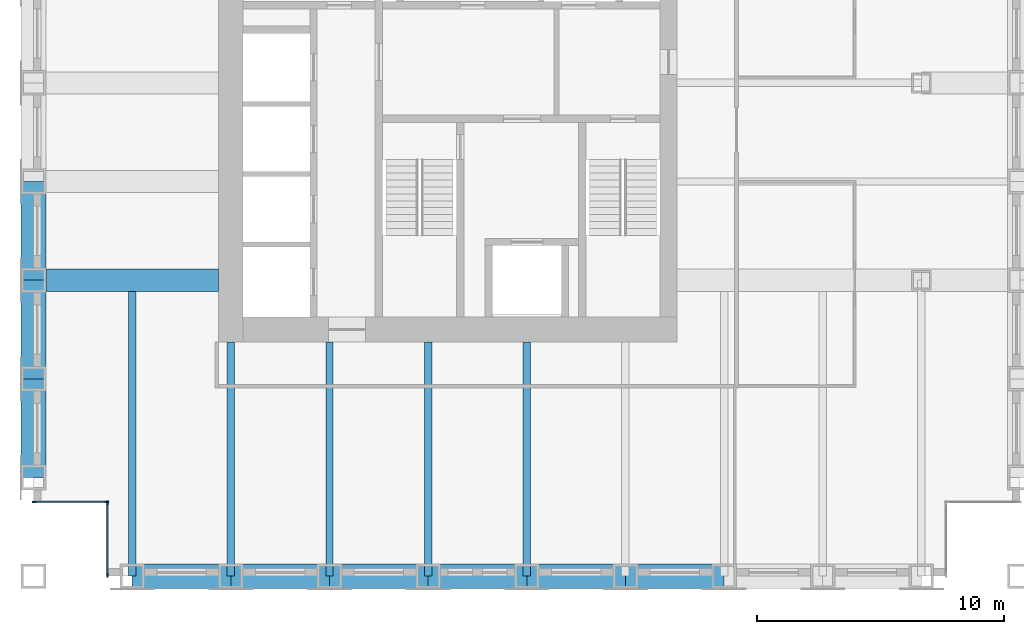
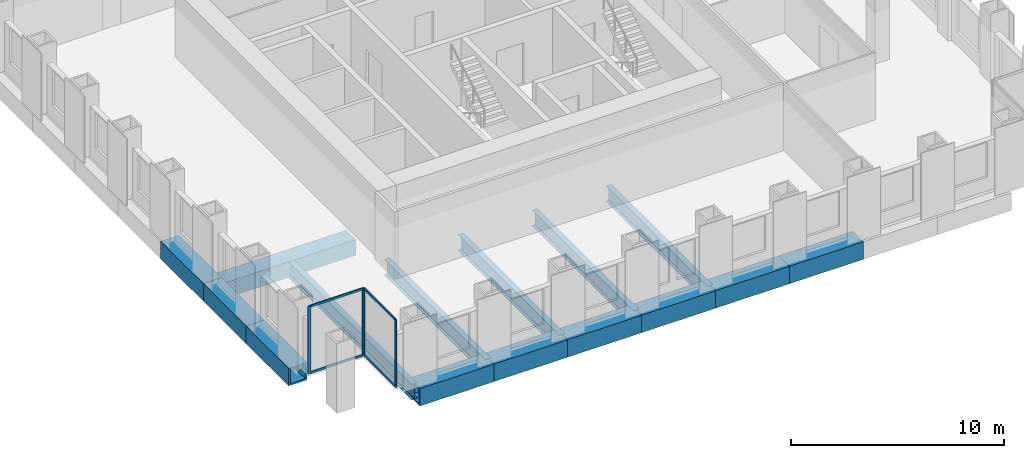
# One storey, part 2 of 13: 15 beams, 8 members, 2 elements without a shape of their own.
"""IFC4 building model written with IfcOpenShell, lengths in metres."""

from ifc_helpers import new_model, si_unit, direction, frame, origin, origin_2d, place, context, subcontext, project, spatial, rectangle, hollow_rectangle, i_section, extrude, material, material_profile, profile_set, type_object, element, aggregate, save


model = new_model("IFC4")

# Units and contexts
model_context = context("Model", 3, precision=1e-05, world=origin(), true_north=direction((0.0, 1.0)))
body_context = subcontext(model_context, "Body", "Model", "MODEL_VIEW")
ifc_project = project(units=[si_unit("LENGTHUNIT", "METRE"), si_unit("AREAUNIT", "SQUARE_METRE"), si_unit("VOLUMEUNIT", "CUBIC_METRE"), si_unit("PLANEANGLEUNIT", "RADIAN"), si_unit("MASSUNIT", "GRAM", prefix="KILO")], contexts=[model_context])

# Site, building, storey
site_placement = place(None, origin())
site = spatial("IfcSite", under=ifc_project, at=site_placement, CompositionType="ELEMENT")
building_placement = place(site_placement, origin())
building = spatial("IfcBuilding", under=site, at=building_placement, Name="Rimbunsela Tower", CompositionType="ELEMENT")
storey_placement = place(building_placement, frame((0.0, 0.0, 222.199951171875)))
storey = spatial("IfcBuildingStorey", under=building, at=storey_placement, Name="L53", CompositionType="ELEMENT", Elevation=222.199951171875)

# Beams
ifc_material_1 = material(Name="Steel BJ 55 (fy 410 MPa)", Category="steel")
ifc_material_profile_1 = material_profile(ifc_material_1, hollow_rectangle(XDim=1.0, YDim=1.0, WallThickness=0.10009765625, at=origin_2d()), Name="BOX 1000x1000x100")
ifc_profile_set_1 = profile_set([ifc_material_profile_1], Name="Steel BJ 55 (fy 410 MPa)")
beam_type_1 = type_object("IfcBeamType", Name="Beam BOX 1000x1000x100", PredefinedType="BEAM", material=ifc_profile_set_1)
for number, where, z_axis, x_axis, name in (
    (1, (10.0, 12.0, -0.64990234375), (0.0, 1.0, 0.0), (-1.0, 0.0, 0.0), "Beam B3 L53"),
    (2, (10.0, 16.0, -0.64990234375), (0.0, 1.0, 0.0), (-1.0, 0.0, 0.0), "Beam B3 L53"),
    (3, (10.0, 20.0, -0.64990234375), (0.0, 1.0, 0.0), (-1.0, 0.0, 0.0), "Beam B3 L53"),
    (4, (14.0, 8.0, -0.64990234375), (1.0, 0.0, 0.0), (0.0, 1.0, 0.0), "Beam B3 L53"),
    (5, (18.0, 8.0, -0.64990234375), (1.0, 0.0, 0.0), (0.0, 1.0, 0.0), "Beam B3 L53"),
    (6, (22.0, 8.0, -0.64990234375), (1.0, 0.0, 0.0), (0.0, 1.0, 0.0), "Beam B3 L53"),
    (7, (26.0, 8.0, -0.64990234375), (1.0, 0.0, 0.0), (0.0, 1.0, 0.0), "Beam B3 L53"),
    (8, (30.0, 8.0, -0.64990234375), (1.0, 0.0, 0.0), (0.0, 1.0, 0.0), "Beam B3 L53"),
    (9, (34.0, 8.0, -0.64990234375), (1.0, 0.0, 0.0), (0.0, 1.0, 0.0), "Beam B3 L53"),
):
    element("IfcBeam", number, at=place(storey_placement, frame(where, z_axis=z_axis, x_axis=x_axis)), inside=storey, type_object=beam_type_1, Name=name, PredefinedType="BEAM", context=body_context, shape_type="SweptSolid", body=[
        extrude(hollow_rectangle(XDim=1.0, YDim=1.0, WallThickness=0.10009765625, at=origin_2d()), origin(), (0.0, 0.0, 1.0), 4.0),
    ])
ifc_material_2 = material(Name="Steel BJ 55 (fy 410 MPa)", Category="steel")
ifc_material_profile_2 = material_profile(ifc_material_2, hollow_rectangle(XDim=0.89990234375, YDim=0.89990234375, WallThickness=0.06005859375, at=origin_2d()), Name="BOX 900x900x60")
ifc_profile_set_2 = profile_set([ifc_material_profile_2], Name="Steel BJ 55 (fy 410 MPa)")
beam_type_2 = type_object("IfcBeamType", Name="Beam BOX 900x900x60", PredefinedType="BEAM", material=ifc_profile_set_2)
beam_1_placement = place(storey_placement, frame((10.0, 20.0, -0.599853515625), z_axis=(1.0, 0.0, 0.0), x_axis=(0.0, 1.0, 0.0)))
element("IfcBeam", 10, at=beam_1_placement, inside=storey, type_object=beam_type_2, Name="Beam B1 L53", PredefinedType="BEAM", context=body_context, shape_type="SweptSolid", body=[
    extrude(hollow_rectangle(XDim=0.89990234375, YDim=0.89990234375, WallThickness=0.06005859375, at=origin_2d()), origin(), (0.0, 0.0, 1.0), 7.5),
])
ifc_material_3 = material(Name="Steel BJ 55 (fy 410 MPa)", Category="steel")
ifc_material_profile_3 = material_profile(ifc_material_3, i_section(OverallWidth=0.300048828125, OverallDepth=0.89990234375, WebThickness=0.01611328125, FlangeThickness=0.028076171875, FilletRadius=0.028076171875, at=origin_2d()), Name="H 900x300x16x28")
ifc_profile_set_3 = profile_set([ifc_material_profile_3], Name="Steel BJ 55 (fy 410 MPa)")
beam_type_3 = type_object("IfcBeamType", Name="Beam H 900x300x16x28", PredefinedType="BEAM", material=ifc_profile_set_3)
beam_2_placement = place(storey_placement, frame((14.0, 8.0, -0.599853515625), z_axis=(0.0, 1.0, 0.0), x_axis=(-1.0, 0.0, 0.0)))
element("IfcBeam", 11, at=beam_2_placement, inside=storey, type_object=beam_type_3, Name="Beam B2 L53", PredefinedType="BEAM", context=body_context, shape_type="SweptSolid", body=[
    extrude(i_section(OverallWidth=0.300048828125, OverallDepth=0.89990234375, WebThickness=0.01611328125, FlangeThickness=0.028076171875, FilletRadius=0.028076171875, at=origin_2d()), origin(), (0.0, 0.0, 1.0), 11.550048828125),
])
for number, where, z_axis, x_axis, name in (
    (12, (18.0, 8.0, -0.599853515625), (0.0, 1.0, 0.0), (-1.0, 0.0, 0.0), "Beam B2 L53"),
    (13, (22.0, 8.0, -0.599853515625), (0.0, 1.0, 0.0), (-1.0, 0.0, 0.0), "Beam B2 L53"),
    (14, (26.0, 8.0, -0.599853515625), (0.0, 1.0, 0.0), (-1.0, 0.0, 0.0), "Beam B2 L53"),
    (15, (30.0, 8.0, -0.599853515625), (0.0, 1.0, 0.0), (-1.0, 0.0, 0.0), "Beam B2 L53"),
):
    element("IfcBeam", number, at=place(storey_placement, frame(where, z_axis=z_axis, x_axis=x_axis)), inside=storey, type_object=beam_type_3, Name=name, PredefinedType="BEAM", context=body_context, shape_type="SweptSolid", body=[
        extrude(i_section(OverallWidth=0.300048828125, OverallDepth=0.89990234375, WebThickness=0.01611328125, FlangeThickness=0.028076171875, FilletRadius=0.028076171875, at=origin_2d()), origin(), (0.0, 0.0, 1.0), 9.5),
    ])

# Curtain wall, members
ifc_material_4 = material(Name="Aluminium curtain wall", Category="aluminium")
curtain_wall_type = type_object("IfcCurtainWallType", Name="Corner glazing", PredefinedType="USERDEFINED", material=ifc_material_4)
curtain_wall_1_placement = place(storey_placement, origin())
curtain_wall_1 = element("IfcCurtainWall", 16, at=curtain_wall_1_placement, inside=storey, type_object=curtain_wall_type, Name="Corner glazing L53", ObjectType="CORNER GLAZING", PredefinedType="USERDEFINED")
ifc_material_5 = material(Name="Aluminium mullion", Category="aluminium")
ifc_material_profile_4 = material_profile(ifc_material_5, rectangle(XDim=0.06005859375, YDim=0.159912109375, at=origin_2d()), Name="Mullion 60x160")
ifc_profile_set_4 = profile_set([ifc_material_profile_4], Name="Aluminium mullion")
member_type_1 = type_object("IfcMemberType", Name="Curtain wall mullion 60x160", PredefinedType="MULLION", material=ifc_profile_set_4)
member_1_placement = place(storey_placement, frame((10.030029296875, 11.0, 0.0), z_axis=(0.0, 0.0, 1.0), x_axis=(0.0, 1.0, 0.0)))
member_1 = element("IfcMember", 17, at=member_1_placement, type_object=member_type_1, Name="CW5 mullion 1", PredefinedType="MULLION", context=body_context, shape_type="SweptSolid", body=[
    extrude(rectangle(XDim=0.06005859375, YDim=0.159912109375, at=origin_2d()), origin(), (0.0, 0.0, 1.0), 3.85009765625),
])
member_2_placement = place(storey_placement, frame((12.969970703125, 11.0, 0.0), z_axis=(0.0, 0.0, 1.0), x_axis=(0.0, 1.0, 0.0)))
member_2 = element("IfcMember", 18, at=member_2_placement, type_object=member_type_1, Name="CW5 mullion 2", PredefinedType="MULLION", context=body_context, shape_type="SweptSolid", body=[
    extrude(rectangle(XDim=0.06005859375, YDim=0.159912109375, at=origin_2d()), origin(), (0.0, 0.0, 1.0), 3.85009765625),
])

curtain_wall_2_placement = place(storey_placement, origin())
curtain_wall_2 = element("IfcCurtainWall", 19, at=curtain_wall_2_placement, inside=storey, type_object=curtain_wall_type, Name="Corner glazing L53", ObjectType="CORNER GLAZING", PredefinedType="USERDEFINED")
member_3_placement = place(storey_placement, frame((13.0, 10.969970703125, 0.0), z_axis=(0.0, 0.0, 1.0), x_axis=(1.0, 0.0, 0.0)))
member_3 = element("IfcMember", 20, at=member_3_placement, type_object=member_type_1, Name="CW5 mullion 1", PredefinedType="MULLION", context=body_context, shape_type="SweptSolid", body=[
    extrude(rectangle(XDim=0.06005859375, YDim=0.159912109375, at=origin_2d()), origin(), (0.0, 0.0, 1.0), 3.85009765625),
])
member_4_placement = place(storey_placement, frame((13.0, 8.030029296875, 0.0), z_axis=(0.0, 0.0, 1.0), x_axis=(1.0, 0.0, 0.0)))
member_4 = element("IfcMember", 21, at=member_4_placement, type_object=member_type_1, Name="CW5 mullion 2", PredefinedType="MULLION", context=body_context, shape_type="SweptSolid", body=[
    extrude(rectangle(XDim=0.06005859375, YDim=0.159912109375, at=origin_2d()), origin(), (0.0, 0.0, 1.0), 3.85009765625),
])

# Member
ifc_material_6 = material(Name="Aluminium transom", Category="aluminium")
ifc_material_profile_5 = material_profile(ifc_material_6, rectangle(XDim=0.06005859375, YDim=0.1201171875, at=origin_2d()), Name="Transom 60x120")
ifc_profile_set_5 = profile_set([ifc_material_profile_5], Name="Aluminium transom")
member_type_2 = type_object("IfcMemberType", Name="Curtain wall transom 60x120", PredefinedType="USERDEFINED", material=ifc_profile_set_5)
member_5_placement = place(storey_placement, frame((10.06005859375, 11.0, 0.030029296875), z_axis=(1.0, 0.0, 0.0), x_axis=(0.0, 1.0, 0.0)))
member_5 = element("IfcMember", 22, at=member_5_placement, type_object=member_type_2, Name="CW5 transom 1.1", ObjectType="TRANSOM", PredefinedType="USERDEFINED", context=body_context, shape_type="SweptSolid", body=[
    extrude(rectangle(XDim=0.06005859375, YDim=0.1201171875, at=origin_2d()), origin(), (0.0, 0.0, 1.0), 2.8798828125),
])

member_6_placement = place(storey_placement, frame((10.06005859375, 11.0, 3.820068359375), z_axis=(1.0, 0.0, 0.0), x_axis=(0.0, 1.0, 0.0)))
member_6 = element("IfcMember", 23, at=member_6_placement, type_object=member_type_2, Name="CW5 transom 1.2", ObjectType="TRANSOM", PredefinedType="USERDEFINED", context=body_context, shape_type="SweptSolid", body=[
    extrude(rectangle(XDim=0.06005859375, YDim=0.1201171875, at=origin_2d()), origin(), (0.0, 0.0, 1.0), 2.8798828125),
])

aggregate(curtain_wall_1, [member_1, member_2, member_5, member_6])

member_7_placement = place(storey_placement, frame((13.0, 10.93994140625, 0.030029296875), z_axis=(0.0, -1.0, 0.0), x_axis=(1.0, 0.0, 0.0)))
member_7 = element("IfcMember", 24, at=member_7_placement, type_object=member_type_2, Name="CW5 transom 1.1", ObjectType="TRANSOM", PredefinedType="USERDEFINED", context=body_context, shape_type="SweptSolid", body=[
    extrude(rectangle(XDim=0.06005859375, YDim=0.1201171875, at=origin_2d()), origin(), (0.0, 0.0, 1.0), 2.8798828125),
])

member_8_placement = place(storey_placement, frame((13.0, 10.93994140625, 3.820068359375), z_axis=(0.0, -1.0, 0.0), x_axis=(1.0, 0.0, 0.0)))
member_8 = element("IfcMember", 25, at=member_8_placement, type_object=member_type_2, Name="CW5 transom 1.2", ObjectType="TRANSOM", PredefinedType="USERDEFINED", context=body_context, shape_type="SweptSolid", body=[
    extrude(rectangle(XDim=0.06005859375, YDim=0.1201171875, at=origin_2d()), origin(), (0.0, 0.0, 1.0), 2.8798828125),
])

aggregate(curtain_wall_2, [member_3, member_4, member_7, member_8])

save(model, "model.ifc")
